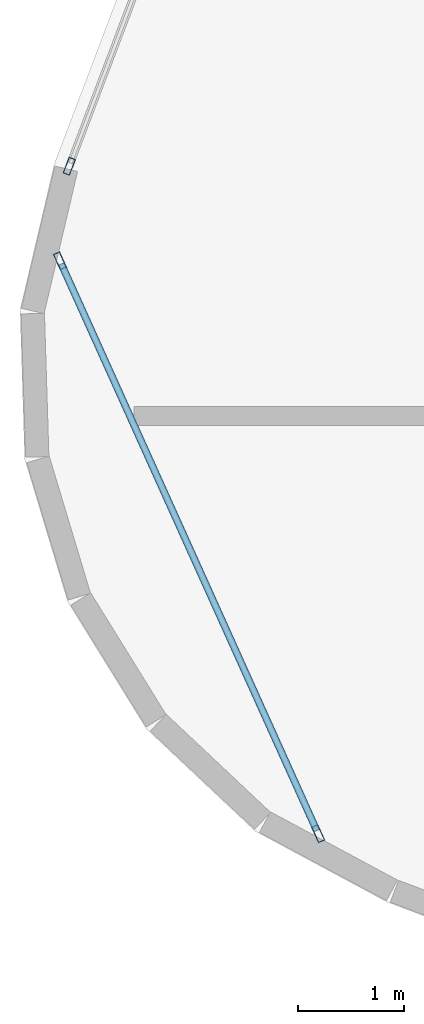
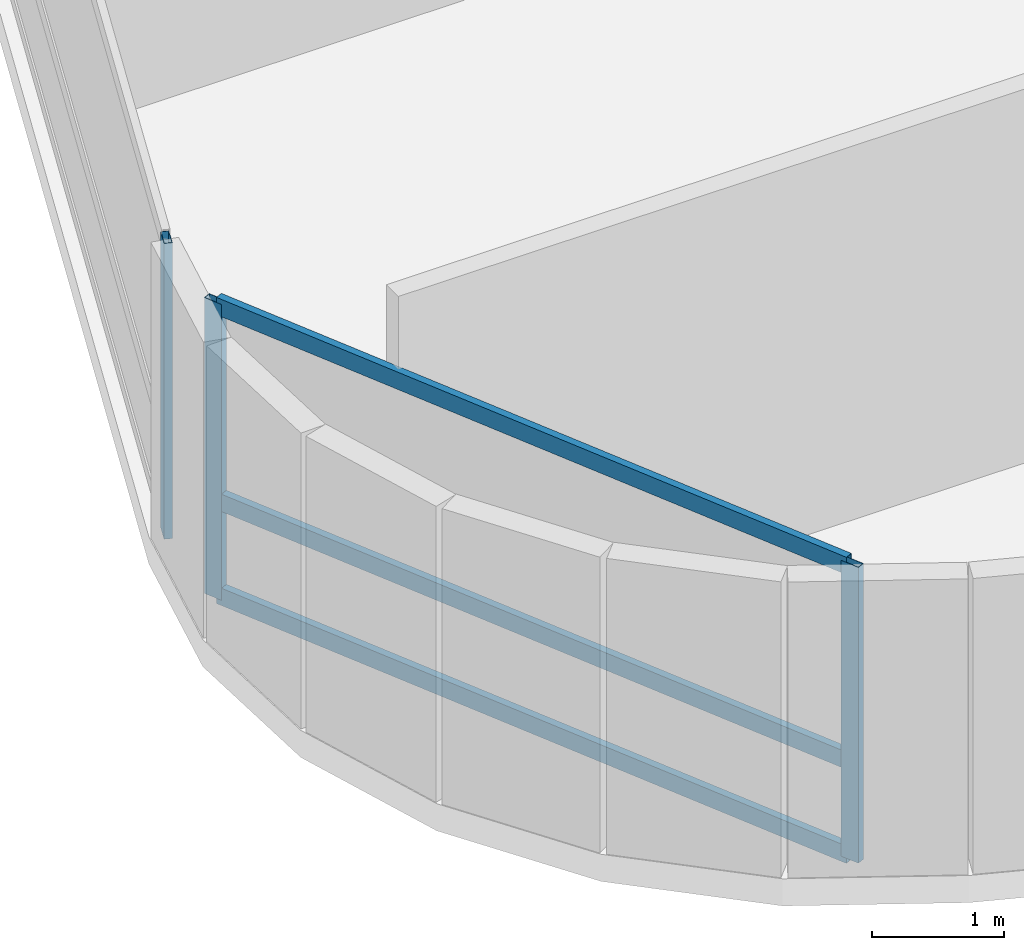
# One storey, part 2 of 25: 6 members, 2 elements without a shape of their own.
"""IFC4 building model written with IfcOpenShell, lengths in metres."""

import ifcopenshell
import ifcopenshell.guid

model = None  # the IFC model being written
_history = None  # IfcOwnerHistory: only IFC2X3 demands one
_inside = {}  # id of a spatial element -> (the spatial element, [elements in it])
_under = {}  # id of a project, library or spatial element -> (it, [spatial elements below it])
_declared = {}  # id of a project -> (the project, [libraries it declares])
_typed = {}  # id of a type object -> (the type object, [elements of that type])
_made_of = {}  # id of a material, layer set ... -> (it, [elements and type objects made of it])


def new_model(schema):
    """Start an empty IFC model of exactly this schema.

    Asked for "IFC4X3", IfcOpenShell would pick the latest addendum, in which some entities
    have other attributes; the version numbers below select the first issue.
    IFC2X3 requires an IfcOwnerHistory on every rooted entity: one is made here for all.
    """
    global model, _history
    if schema == "IFC4X3":
        model = ifcopenshell.file(schema_version=(4, 3, 0, 0))
    else:
        model = ifcopenshell.file(schema=schema)
    _inside.clear()
    _under.clear()
    _declared.clear()
    _typed.clear()
    _made_of.clear()
    _history = None
    if model.schema == "IFC2X3":
        org = make("IfcOrganization", Name="unknown")
        user = make(
            "IfcPersonAndOrganization",
            ThePerson=make("IfcPerson", FamilyName="unknown"),
            TheOrganization=org,
        )
        app = make(
            "IfcApplication",
            ApplicationDeveloper=org,
            Version="unknown",
            ApplicationFullName="unknown",
            ApplicationIdentifier="unknown",
        )
        _history = make(
            "IfcOwnerHistory",
            OwningUser=user,
            OwningApplication=app,
            ChangeAction="ADDED",
            CreationDate=0,
        )
    return model


def make(cls, **values):
    """One entity of the class cls with the attributes given. An attribute that is None is left unset."""
    return model.create_entity(
        cls, **{name: value for name, value in values.items() if value is not None}
    )


def rooted(cls, **values):
    """An entity with a GlobalId (a new one), such as an element, a storey or a relation."""
    return make(cls, GlobalId=ifcopenshell.guid.new(), OwnerHistory=_history, **values)


def si_unit(unit_type, name, prefix=None):
    """IfcSIUnit, for example si_unit("LENGTHUNIT", "METRE", prefix="MILLI")."""
    return make("IfcSIUnit", UnitType=unit_type, Prefix=prefix, Name=name)


def assignment(units):
    """IfcUnitAssignment: the units of a project."""
    return None if units is None else make("IfcUnitAssignment", Units=units)


def point(xyz):
    """IfcCartesianPoint."""
    return None if xyz is None else make("IfcCartesianPoint", Coordinates=xyz)


def direction(xyz):
    """IfcDirection."""
    return None if xyz is None else make("IfcDirection", DirectionRatios=xyz)


def frame(location, z_axis=None, x_axis=None):
    """IfcAxis2Placement3D, a coordinate frame: its origin and axes. An axis left out is left unset."""
    return make(
        "IfcAxis2Placement3D",
        Location=point(location),
        Axis=direction(z_axis),
        RefDirection=direction(x_axis),
    )


def frame_2d(location, x_axis=None):
    """IfcAxis2Placement2D, a coordinate frame in the plane: its origin and x axis."""
    return make(
        "IfcAxis2Placement2D", Location=point(location), RefDirection=direction(x_axis)
    )


def origin():
    """The frame at (0, 0, 0) with its axes left unset."""
    return frame((0.0, 0.0, 0.0))


def origin_2d():
    """The frame at (0, 0) in the plane with its x axis left unset."""
    return frame_2d((0.0, 0.0))


def place(relative_to, where):
    """IfcLocalPlacement: puts the frame where relative to a parent placement (None: the world)."""
    return make(
        "IfcLocalPlacement", PlacementRelTo=relative_to, RelativePlacement=where
    )


def context(
    kind, dimensions, precision=None, world=None, true_north=None, identifier=None
):
    """IfcGeometricRepresentationContext, for example the 3D "Model" context."""
    return make(
        "IfcGeometricRepresentationContext",
        ContextIdentifier=identifier,
        ContextType=kind,
        CoordinateSpaceDimension=dimensions,
        Precision=precision,
        WorldCoordinateSystem=world,
        TrueNorth=true_north,
    )


def subcontext(parent, identifier, kind, view, scale=None):
    """IfcGeometricRepresentationSubContext, for example "Body" below "Model"."""
    return make(
        "IfcGeometricRepresentationSubContext",
        ContextIdentifier=identifier,
        ContextType=kind,
        ParentContext=parent,
        TargetScale=scale,
        TargetView=view,
    )


def project(units=None, contexts=None):
    """IfcProject with its units and contexts."""
    return rooted(
        "IfcProject",
        Name="project",
        RepresentationContexts=contexts,
        UnitsInContext=assignment(units),
    )


def spatial(cls, under=None, at=None, **own):
    """A site, building, storey or space (cls), placed at a placement, below another one or the project."""
    s = rooted(cls, ObjectPlacement=at, **own)
    if under is not None:
        _under.setdefault(under.id(), (under, []))[1].append(s)
    return s


def profile(cls, at=None, kind="AREA", **sizes):
    """A parametric profile (cls). Its sizes go by their IFC names, for example OverallWidth=200.0."""
    return make(cls, ProfileType=kind, Position=at, **sizes)


def hollow_rectangle(**sizes):
    """IfcRectangleHollowProfileDef."""
    return profile("IfcRectangleHollowProfileDef", **sizes)


def extrude(swept, where, along, depth):
    """IfcExtrudedAreaSolid: the profile swept, set in the frame where, extruded along a direction by depth."""
    return make(
        "IfcExtrudedAreaSolid",
        SweptArea=swept,
        Position=where,
        ExtrudedDirection=direction(along),
        Depth=depth,
    )


def shape(context_of_items, identifier, shape_type, items):
    """IfcShapeRepresentation: the items that make up one representation, for example the "Body"."""
    return make(
        "IfcShapeRepresentation",
        ContextOfItems=context_of_items,
        RepresentationIdentifier=identifier,
        RepresentationType=shape_type,
        Items=items,
    )


def material(Name=None, Category=None):
    """IfcMaterial."""
    return make("IfcMaterial", Name=Name, Category=Category)


def layer(
    of_material, thickness, ventilated=None, Name=None, Category=None, Priority=None
):
    """IfcMaterialLayer: one layer of a wall or slab, of a material (None: an air gap)."""
    return make(
        "IfcMaterialLayer",
        Material=of_material,
        LayerThickness=thickness,
        IsVentilated=ventilated,
        Name=Name,
        Category=Category,
        Priority=Priority,
    )


def layer_set(layers, Name=None):
    """IfcMaterialLayerSet."""
    return make("IfcMaterialLayerSet", MaterialLayers=layers, LayerSetName=Name)


def material_profile(
    of_material, cross_section, Name=None, Category=None, Priority=None
):
    """IfcMaterialProfile: a cross section and its material."""
    return make(
        "IfcMaterialProfile",
        Name=Name,
        Material=of_material,
        Profile=cross_section,
        Priority=Priority,
        Category=Category,
    )


def profile_set(profiles, Name=None, composite=None):
    """IfcMaterialProfileSet."""
    return make(
        "IfcMaterialProfileSet",
        Name=Name,
        MaterialProfiles=profiles,
        CompositeProfile=composite,
    )


def made_of(thing, what):
    """Note that an element or type object is made of a material, layer set ...; save() writes the relation."""
    if what is not None:
        _made_of.setdefault(what.id(), (what, []))[1].append(thing)
    return thing


def type_object(cls, material=None, **own):
    """A type object (cls), such as IfcWallType, which elements share."""
    return made_of(rooted(cls, **own), material)


def element(
    cls,
    number,
    at=None,
    inside=None,
    cuts=None,
    type_object=None,
    material=None,
    context=None,
    identifier="Body",
    shape_type=None,
    held_by="IfcProductDefinitionShape",
    body=None,
    shapes=None,
    **own,
):
    """One element of the class cls, such as IfcWall. Its Tag is "e" and its number.

    at: its placement. inside: the storey or other place that contains it. cuts: it is an
    opening in that element (IfcRelVoidsElement). A single representation is given by context,
    identifier, shape_type and body (its items); several are given by shapes. held_by: the class
    of the entity that holds the representations. save() writes the other relations.
    """
    e = rooted(cls, Tag="e%d" % number, ObjectPlacement=at, **own)
    if body is not None:
        shapes = [shape(context, identifier, shape_type, body)]
    if shapes is not None:
        e.Representation = make(held_by, Representations=shapes)
    if inside is not None:
        _inside.setdefault(inside.id(), (inside, []))[1].append(e)
    if cuts is not None:
        rooted(
            "IfcRelVoidsElement", RelatingBuildingElement=cuts, RelatedOpeningElement=e
        )
    if type_object is not None:
        _typed.setdefault(type_object.id(), (type_object, []))[1].append(e)
    return made_of(e, material)


def aggregate(whole, parts):
    """IfcRelAggregates: a whole, such as a stair, and the parts it consists of."""
    return rooted("IfcRelAggregates", RelatingObject=whole, RelatedObjects=parts)


def save(model, path):
    """Write the relations noted so far, then the file.

    IfcRelAggregates (storeys below a building ...), IfcRelContainedInSpatialStructure (elements
    in a storey), IfcRelDefinesByType, IfcRelAssociatesMaterial and IfcRelDeclares: one each for
    every whole, place, type object, material and project.
    """
    for whole, parts in _under.values():
        aggregate(whole, parts)
    for where, things in _inside.values():
        rooted(
            "IfcRelContainedInSpatialStructure",
            RelatedElements=things,
            RelatingStructure=where,
        )
    for kind, things in _typed.values():
        rooted("IfcRelDefinesByType", RelatedObjects=things, RelatingType=kind)
    for what, things in _made_of.values():
        rooted("IfcRelAssociatesMaterial", RelatedObjects=things, RelatingMaterial=what)
    for by, libraries in _declared.values():
        rooted("IfcRelDeclares", RelatingContext=by, RelatedDefinitions=libraries)
    model.write(path)


model = new_model("IFC4")

# Units and contexts
model_context = context("Model", 3, precision=1e-05, world=origin(), true_north=direction((0.0, 1.0)))
body_context = subcontext(model_context, "Body", "Model", "MODEL_VIEW")
ifc_project = project(units=[si_unit("LENGTHUNIT", "METRE"), si_unit("AREAUNIT", "SQUARE_METRE"), si_unit("VOLUMEUNIT", "CUBIC_METRE"), si_unit("PLANEANGLEUNIT", "RADIAN"), si_unit("MASSUNIT", "GRAM", prefix="KILO")], contexts=[model_context])

# Site, building, storey
site_placement = place(None, origin())
site = spatial("IfcSite", under=ifc_project, at=site_placement, CompositionType="ELEMENT")
building_placement = place(site_placement, origin())
building = spatial("IfcBuilding", under=site, at=building_placement, Name="Varnelok Gate Tower", CompositionType="ELEMENT")
storey_placement = place(building_placement, frame((0.0, 0.0, 91.0)))
storey = spatial("IfcBuildingStorey", under=building, at=storey_placement, Name="L22", CompositionType="ELEMENT", Elevation=91.0)

# Curtain wall, member
ifc_material = material(Name="Anodized Aluminum Alloy 6063-T6", Category="aluminium")
ifc_layer_1 = layer(ifc_material, 0.179931640625)
ifc_layer_set_1 = layer_set([ifc_layer_1], Name="Anodized Aluminum Alloy 6063-T6")
curtain_wall_type_1 = type_object("IfcCurtainWallType", Name="CW3-HOTEL-VISION", PredefinedType="USERDEFINED", material=ifc_layer_set_1)
curtain_wall_1_placement = place(storey_placement, origin())
curtain_wall_1 = element("IfcCurtainWall", 1, at=curtain_wall_1_placement, inside=storey, type_object=curtain_wall_type_1, Name="L22 West End Vision Curtain Wall", ObjectType="UNITISED CURTAIN WALL", PredefinedType="USERDEFINED")
ifc_material_profile_1 = material_profile(ifc_material, hollow_rectangle(XDim=0.06494140625, YDim=0.159912109375, WallThickness=0.00390625, at=origin_2d()), Name="ALU160X65X4")
ifc_profile_set_1 = profile_set([ifc_material_profile_1], Name="Anodized Aluminum Alloy 6063-T6")
member_type_1 = type_object("IfcMemberType", Name="CW-MULL-160", PredefinedType="MULLION", material=ifc_profile_set_1)
member_1_placement = place(storey_placement, frame((-2.04345703125, 21.59521484375, 0.0), z_axis=(0.0, 0.0, 1.0), x_axis=(-0.935221323688, 0.354063660545, 0.0)))
member_1 = element("IfcMember", 2, at=member_1_placement, type_object=member_type_1, Name="CW3 mullion 1", PredefinedType="MULLION", context=body_context, shape_type="SweptSolid", body=[
    extrude(hollow_rectangle(XDim=0.06494140625, YDim=0.159912109375, WallThickness=0.00390625, at=origin_2d()), origin(), (0.0, 0.0, 1.0), 2.72998046875),
])
aggregate(curtain_wall_1, [member_1])

# Curtain wall, members
ifc_layer_2 = layer(ifc_material, 0.179931640625)
ifc_layer_set_2 = layer_set([ifc_layer_2], Name="Anodized Aluminum Alloy 6063-T6")
curtain_wall_type_2 = type_object("IfcCurtainWallType", Name="CW5-WINDCORNER-GLAZ", PredefinedType="USERDEFINED", material=ifc_layer_set_2)
curtain_wall_2_placement = place(storey_placement, origin())
curtain_wall_2 = element("IfcCurtainWall", 3, at=curtain_wall_2_placement, inside=storey, type_object=curtain_wall_type_2, Name="L22 Wind-Shaped Corner Curtain Wall SW", ObjectType="STRUCTURAL GLAZING", PredefinedType="USERDEFINED")
member_2_placement = place(storey_placement, frame((-2.1318359375, 20.703369140625, 0.0), z_axis=(0.0, 0.0, 1.0), x_axis=(0.911663577603, 0.410937369038, 0.0)))
member_2 = element("IfcMember", 4, at=member_2_placement, type_object=member_type_1, Name="CW5 mullion 1", PredefinedType="MULLION", context=body_context, shape_type="SweptSolid", body=[
    extrude(hollow_rectangle(XDim=0.06494140625, YDim=0.159912109375, WallThickness=0.00390625, at=origin_2d()), origin(), (0.0, 0.0, 1.0), 2.72998046875),
])
member_3_placement = place(storey_placement, frame((0.305419921875, 15.296142578125, 0.0), z_axis=(0.0, 0.0, 1.0), x_axis=(0.911663577603, 0.410937369038, 0.0)))
member_3 = element("IfcMember", 5, at=member_3_placement, type_object=member_type_1, Name="CW5 mullion 2", PredefinedType="MULLION", context=body_context, shape_type="SweptSolid", body=[
    extrude(hollow_rectangle(XDim=0.06494140625, YDim=0.159912109375, WallThickness=0.00390625, at=origin_2d()), origin(), (0.0, 0.0, 1.0), 2.72998046875),
])
ifc_material_profile_2 = material_profile(ifc_material, hollow_rectangle(XDim=0.06494140625, YDim=0.159912109375, WallThickness=0.00390625, at=origin_2d()), Name="ALU160X65X4")
ifc_profile_set_2 = profile_set([ifc_material_profile_2], Name="Anodized Aluminum Alloy 6063-T6")
member_type_2 = type_object("IfcMemberType", Name="CW-TRAN-160", PredefinedType="USERDEFINED", material=ifc_profile_set_2)
member_4_placement = place(storey_placement, frame((-2.11865234375, 20.673828125, 0.032470703125), z_axis=(0.410928724524, -0.911667474116, 0.0), x_axis=(0.911667474116, 0.410928724524, 0.0)))
member_4 = element("IfcMember", 6, at=member_4_placement, type_object=member_type_2, Name="CW5 transom 1.1", ObjectType="TRANSOM", PredefinedType="USERDEFINED", context=body_context, shape_type="SweptSolid", body=[
    extrude(hollow_rectangle(XDim=0.06494140625, YDim=0.159912109375, WallThickness=0.00390625, at=origin_2d()), origin(), (0.0, 0.0, 1.0), 5.8662109375),
])
member_5_placement = place(storey_placement, frame((-2.11865234375, 20.673828125, 0.89990234375), z_axis=(0.410928724524, -0.911667474116, 0.0), x_axis=(0.911667474116, 0.410928724524, 0.0)))
member_5 = element("IfcMember", 7, at=member_5_placement, type_object=member_type_2, Name="CW5 transom 1.2", ObjectType="TRANSOM", PredefinedType="USERDEFINED", context=body_context, shape_type="SweptSolid", body=[
    extrude(hollow_rectangle(XDim=0.06494140625, YDim=0.159912109375, WallThickness=0.00390625, at=origin_2d()), origin(), (0.0, 0.0, 1.0), 5.8662109375),
])
member_6_placement = place(storey_placement, frame((-2.11865234375, 20.673828125, 2.697509765625), z_axis=(0.410928724524, -0.911667474116, 0.0), x_axis=(0.911667474116, 0.410928724524, 0.0)))
member_6 = element("IfcMember", 8, at=member_6_placement, type_object=member_type_2, Name="CW5 transom 1.3", ObjectType="TRANSOM", PredefinedType="USERDEFINED", context=body_context, shape_type="SweptSolid", body=[
    extrude(hollow_rectangle(XDim=0.06494140625, YDim=0.159912109375, WallThickness=0.00390625, at=origin_2d()), origin(), (0.0, 0.0, 1.0), 5.8662109375),
])
aggregate(curtain_wall_2, [member_2, member_3, member_4, member_5, member_6])

save(model, "model.ifc")
